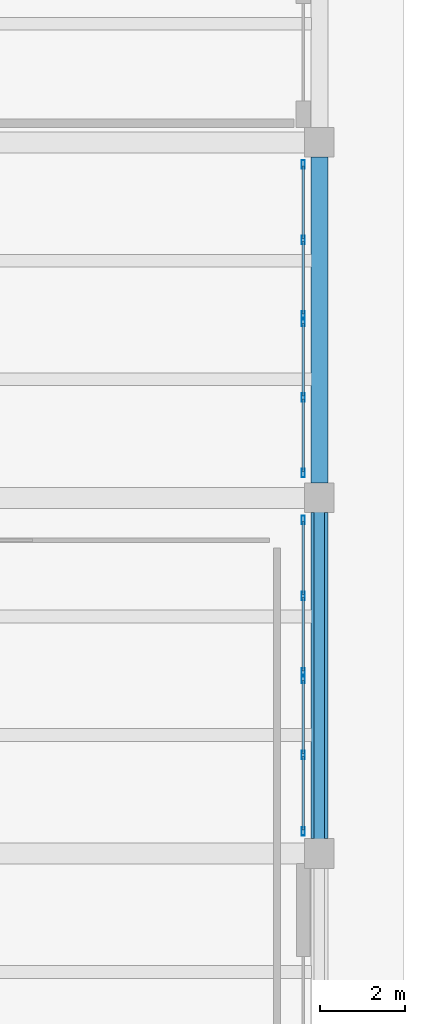
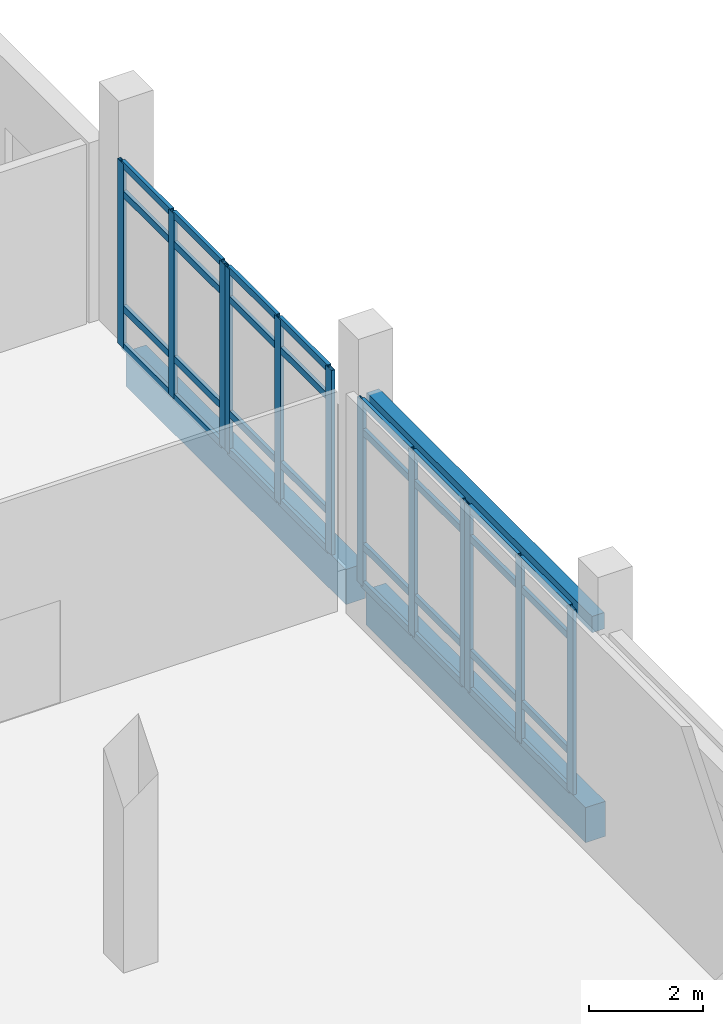
# One storey, part 20 of 64: 44 members, 3 beams, 4 elements without a shape of their own.
"""IFC4 building model written with IfcOpenShell, lengths in metres."""

from ifc_helpers import new_model, si_unit, derived_unit, direction, frame, origin, origin_2d, place, context, subcontext, project, spatial, rectangle, hollow_rectangle, extrude, material, layer, layer_set, material_profile, profile_set, type_object, element, aggregate, save


model = new_model("IFC4")

# Units and contexts
model_context = context("Model", 3, precision=1e-05, world=origin(), true_north=direction((0.0, 1.0)))
body_context = subcontext(model_context, "Body", "Model", "MODEL_VIEW")
ifc_project = project(units=[si_unit("LENGTHUNIT", "METRE"), si_unit("AREAUNIT", "SQUARE_METRE"), si_unit("VOLUMEUNIT", "CUBIC_METRE"), si_unit("PLANEANGLEUNIT", "RADIAN"), si_unit("MASSUNIT", "GRAM", prefix="KILO"), derived_unit("THERMALTRANSMITTANCEUNIT", [(si_unit("POWERUNIT", "WATT"), 1), (si_unit("LENGTHUNIT", "METRE"), -2), (si_unit("THERMODYNAMICTEMPERATUREUNIT", "KELVIN"), -1)])], contexts=[model_context])

# Site, building, storey
site_placement = place(None, origin())
site = spatial("IfcSite", under=ifc_project, at=site_placement, CompositionType="ELEMENT")
building_placement = place(site_placement, origin())
building = spatial("IfcBuilding", under=site, at=building_placement, Name="Elbkamm Science Centre", CompositionType="ELEMENT")
storey_placement = place(building_placement, origin())
storey = spatial("IfcBuildingStorey", under=building, at=storey_placement, Name="L00", CompositionType="ELEMENT", Elevation=0.0)

# Beams
ifc_material_1 = material(Name="Concrete C40/50", Category="concrete")
ifc_material_profile_1 = material_profile(ifc_material_1, rectangle(XDim=0.39990234375, YDim=0.75, at=origin_2d()), Name="RC 400x750")
ifc_profile_set_1 = profile_set([ifc_material_profile_1], Name="Concrete C40/50")
beam_type_1 = type_object("IfcBeamType", Name="BM-RC-400x750", PredefinedType="BEAM", material=ifc_profile_set_1)
for number, where, z_axis, x_axis, name in (
    (1, (160.800048828125, 33.949951171875, -0.675048828125), (0.0, 1.0, 0.0), (-1.0, 0.0, 0.0), "L00 Primary Y-Girder 079"),
    (2, (160.800048828125, 42.35009765625, -0.675048828125), (0.0, 1.0, 0.0), (-1.0, 0.0, 0.0), "L00 Primary Y-Girder 080"),
):
    element("IfcBeam", number, at=place(storey_placement, frame(where, z_axis=z_axis, x_axis=x_axis)), inside=storey, type_object=beam_type_1, Name=name, PredefinedType="BEAM", context=body_context, shape_type="SweptSolid", body=[
        extrude(rectangle(XDim=0.39990234375, YDim=0.75, at=origin_2d()), origin(), (0.0, 0.0, 1.0), 7.699951171875),
    ])

# Curtain wall, members
ifc_material_2 = material(Name="Powder-coated aluminium and triple low-E glazing", Category="aluminium")
ifc_layer_1 = layer(ifc_material_2, 0.159912109375)
ifc_layer_set_1 = layer_set([ifc_layer_1], Name="Powder-coated aluminium and triple low-E glazing")
curtain_wall_type_1 = type_object("IfcCurtainWallType", Name="CW-UNIT-3640x3960", PredefinedType="USERDEFINED", material=ifc_layer_set_1)
curtain_wall_1_placement = place(storey_placement, origin())
curtain_wall_1 = element("IfcCurtainWall", 3, at=curtain_wall_1_placement, inside=storey, type_object=curtain_wall_type_1, Name="L00 Unitised Curtain Wall 126", ObjectType="UNITISED CURTAIN WALL", PredefinedType="USERDEFINED")
ifc_material_3 = material(Name="Powder-coated aluminium EN AW-6060", Category="aluminium")
ifc_material_profile_2 = material_profile(ifc_material_3, hollow_rectangle(XDim=0.070068359375, YDim=0.199951171875, WallThickness=0.00439453125, at=origin_2d()), Name="ALU M70x200")
ifc_profile_set_2 = profile_set([ifc_material_profile_2], Name="Powder-coated aluminium EN AW-6060")
member_type_1 = type_object("IfcMemberType", Name="CW-MUL-70x200", PredefinedType="MULLION", material=ifc_profile_set_2)
member_1_placement = place(storey_placement, frame((160.419921875, 49.878662109375, 0.0), z_axis=(0.0, 0.0, 1.0), x_axis=(1.0, 0.0, 0.0)))
member_1 = element("IfcMember", 4, at=member_1_placement, type_object=member_type_1, Name="CW-063 mullion 1", PredefinedType="MULLION", context=body_context, shape_type="SweptSolid", body=[
    extrude(hollow_rectangle(XDim=0.070068359375, YDim=0.199951171875, WallThickness=0.00439453125, at=origin_2d()), origin(), (0.0, 0.0, 1.0), 3.949951171875),
])
member_2_placement = place(storey_placement, frame((160.419921875, 48.09228515625, 0.0), z_axis=(0.0, 0.0, 1.0), x_axis=(1.0, 0.0, 0.0)))
member_2 = element("IfcMember", 5, at=member_2_placement, type_object=member_type_1, Name="CW-063 mullion 2", PredefinedType="MULLION", context=body_context, shape_type="SweptSolid", body=[
    extrude(hollow_rectangle(XDim=0.070068359375, YDim=0.199951171875, WallThickness=0.00439453125, at=origin_2d()), origin(), (0.0, 0.0, 1.0), 3.949951171875),
])
member_3_placement = place(storey_placement, frame((160.419921875, 46.305908203125, 0.0), z_axis=(0.0, 0.0, 1.0), x_axis=(1.0, 0.0, 0.0)))
member_3 = element("IfcMember", 6, at=member_3_placement, type_object=member_type_1, Name="CW-063 mullion 3", PredefinedType="MULLION", context=body_context, shape_type="SweptSolid", body=[
    extrude(hollow_rectangle(XDim=0.070068359375, YDim=0.199951171875, WallThickness=0.00439453125, at=origin_2d()), origin(), (0.0, 0.0, 1.0), 3.949951171875),
])

curtain_wall_2_placement = place(storey_placement, origin())
curtain_wall_2 = element("IfcCurtainWall", 7, at=curtain_wall_2_placement, inside=storey, type_object=curtain_wall_type_1, Name="L00 Unitised Curtain Wall 127", ObjectType="UNITISED CURTAIN WALL", PredefinedType="USERDEFINED")
member_4_placement = place(storey_placement, frame((160.419921875, 46.156005859375, 0.0), z_axis=(0.0, 0.0, 1.0), x_axis=(1.0, 0.0, 0.0)))
member_4 = element("IfcMember", 8, at=member_4_placement, type_object=member_type_1, Name="CW-063 mullion 1", PredefinedType="MULLION", context=body_context, shape_type="SweptSolid", body=[
    extrude(hollow_rectangle(XDim=0.070068359375, YDim=0.199951171875, WallThickness=0.00439453125, at=origin_2d()), origin(), (0.0, 0.0, 1.0), 3.949951171875),
])
member_5_placement = place(storey_placement, frame((160.419921875, 44.369384765625, 0.0), z_axis=(0.0, 0.0, 1.0), x_axis=(1.0, 0.0, 0.0)))
member_5 = element("IfcMember", 9, at=member_5_placement, type_object=member_type_1, Name="CW-063 mullion 2", PredefinedType="MULLION", context=body_context, shape_type="SweptSolid", body=[
    extrude(hollow_rectangle(XDim=0.070068359375, YDim=0.199951171875, WallThickness=0.00439453125, at=origin_2d()), origin(), (0.0, 0.0, 1.0), 3.949951171875),
])
member_6_placement = place(storey_placement, frame((160.419921875, 42.5830078125, 0.0), z_axis=(0.0, 0.0, 1.0), x_axis=(1.0, 0.0, 0.0)))
member_6 = element("IfcMember", 10, at=member_6_placement, type_object=member_type_1, Name="CW-063 mullion 3", PredefinedType="MULLION", context=body_context, shape_type="SweptSolid", body=[
    extrude(hollow_rectangle(XDim=0.070068359375, YDim=0.199951171875, WallThickness=0.00439453125, at=origin_2d()), origin(), (0.0, 0.0, 1.0), 3.949951171875),
])

ifc_layer_2 = layer(ifc_material_2, 0.159912109375)
ifc_layer_set_2 = layer_set([ifc_layer_2], Name="Powder-coated aluminium and triple low-E glazing")
curtain_wall_type_2 = type_object("IfcCurtainWallType", Name="CW-UNIT-3680x3960", PredefinedType="USERDEFINED", material=ifc_layer_set_2)
curtain_wall_3_placement = place(storey_placement, origin())
curtain_wall_3 = element("IfcCurtainWall", 11, at=curtain_wall_3_placement, inside=storey, type_object=curtain_wall_type_2, Name="L00 Unitised Curtain Wall 128", ObjectType="UNITISED CURTAIN WALL", PredefinedType="USERDEFINED")
member_7_placement = place(storey_placement, frame((160.419921875, 41.478759765625, 0.0), z_axis=(0.0, 0.0, 1.0), x_axis=(1.0, 0.0, 0.0)))
member_7 = element("IfcMember", 12, at=member_7_placement, type_object=member_type_1, Name="CW-064 mullion 1", PredefinedType="MULLION", context=body_context, shape_type="SweptSolid", body=[
    extrude(hollow_rectangle(XDim=0.070068359375, YDim=0.199951171875, WallThickness=0.00439453125, at=origin_2d()), origin(), (0.0, 0.0, 1.0), 3.949951171875),
])
member_8_placement = place(storey_placement, frame((160.419921875, 39.6767578125, 0.0), z_axis=(0.0, 0.0, 1.0), x_axis=(1.0, 0.0, 0.0)))
member_8 = element("IfcMember", 13, at=member_8_placement, type_object=member_type_1, Name="CW-064 mullion 2", PredefinedType="MULLION", context=body_context, shape_type="SweptSolid", body=[
    extrude(hollow_rectangle(XDim=0.070068359375, YDim=0.199951171875, WallThickness=0.00439453125, at=origin_2d()), origin(), (0.0, 0.0, 1.0), 3.949951171875),
])
member_9_placement = place(storey_placement, frame((160.419921875, 37.875, 0.0), z_axis=(0.0, 0.0, 1.0), x_axis=(1.0, 0.0, 0.0)))
member_9 = element("IfcMember", 14, at=member_9_placement, type_object=member_type_1, Name="CW-064 mullion 3", PredefinedType="MULLION", context=body_context, shape_type="SweptSolid", body=[
    extrude(hollow_rectangle(XDim=0.070068359375, YDim=0.199951171875, WallThickness=0.00439453125, at=origin_2d()), origin(), (0.0, 0.0, 1.0), 3.949951171875),
])

curtain_wall_4_placement = place(storey_placement, origin())
curtain_wall_4 = element("IfcCurtainWall", 15, at=curtain_wall_4_placement, inside=storey, type_object=curtain_wall_type_2, Name="L00 Unitised Curtain Wall 129", ObjectType="UNITISED CURTAIN WALL", PredefinedType="USERDEFINED")
member_10_placement = place(storey_placement, frame((160.419921875, 37.72509765625, 0.0), z_axis=(0.0, 0.0, 1.0), x_axis=(1.0, 0.0, 0.0)))
member_10 = element("IfcMember", 16, at=member_10_placement, type_object=member_type_1, Name="CW-064 mullion 1", PredefinedType="MULLION", context=body_context, shape_type="SweptSolid", body=[
    extrude(hollow_rectangle(XDim=0.070068359375, YDim=0.199951171875, WallThickness=0.00439453125, at=origin_2d()), origin(), (0.0, 0.0, 1.0), 3.949951171875),
])
member_11_placement = place(storey_placement, frame((160.419921875, 35.923095703125, 0.0), z_axis=(0.0, 0.0, 1.0), x_axis=(1.0, 0.0, 0.0)))
member_11 = element("IfcMember", 17, at=member_11_placement, type_object=member_type_1, Name="CW-064 mullion 2", PredefinedType="MULLION", context=body_context, shape_type="SweptSolid", body=[
    extrude(hollow_rectangle(XDim=0.070068359375, YDim=0.199951171875, WallThickness=0.00439453125, at=origin_2d()), origin(), (0.0, 0.0, 1.0), 3.949951171875),
])
member_12_placement = place(storey_placement, frame((160.419921875, 34.121337890625, 0.0), z_axis=(0.0, 0.0, 1.0), x_axis=(1.0, 0.0, 0.0)))
member_12 = element("IfcMember", 18, at=member_12_placement, type_object=member_type_1, Name="CW-064 mullion 3", PredefinedType="MULLION", context=body_context, shape_type="SweptSolid", body=[
    extrude(hollow_rectangle(XDim=0.070068359375, YDim=0.199951171875, WallThickness=0.00439453125, at=origin_2d()), origin(), (0.0, 0.0, 1.0), 3.949951171875),
])

# Member
ifc_material_profile_3 = material_profile(ifc_material_3, hollow_rectangle(XDim=0.070068359375, YDim=0.14990234375, WallThickness=0.00390625, at=origin_2d()), Name="ALU T70x150")
ifc_profile_set_3 = profile_set([ifc_material_profile_3], Name="Powder-coated aluminium EN AW-6060")
member_type_2 = type_object("IfcMemberType", Name="CW-TRN-70x150", PredefinedType="USERDEFINED", material=ifc_profile_set_3)
member_13_placement = place(storey_placement, frame((160.419921875, 49.84375, 0.034912109375), z_axis=(0.0, -1.0, 0.0), x_axis=(1.0, 0.0, 0.0)))
member_13 = element("IfcMember", 19, at=member_13_placement, type_object=member_type_2, Name="CW-063 transom 1.1", ObjectType="TRANSOM", PredefinedType="USERDEFINED", context=body_context, shape_type="SweptSolid", body=[
    extrude(hollow_rectangle(XDim=0.070068359375, YDim=0.14990234375, WallThickness=0.00390625, at=origin_2d()), origin(), (0.0, 0.0, 1.0), 1.716552734375),
])

member_14_placement = place(storey_placement, frame((160.419921875, 49.84375, 0.85009765625), z_axis=(0.0, -1.0, 0.0), x_axis=(1.0, 0.0, 0.0)))
member_14 = element("IfcMember", 20, at=member_14_placement, type_object=member_type_2, Name="CW-063 transom 1.2", ObjectType="TRANSOM", PredefinedType="USERDEFINED", context=body_context, shape_type="SweptSolid", body=[
    extrude(hollow_rectangle(XDim=0.070068359375, YDim=0.14990234375, WallThickness=0.00390625, at=origin_2d()), origin(), (0.0, 0.0, 1.0), 1.716552734375),
])

member_15_placement = place(storey_placement, frame((160.419921875, 49.84375, 3.300048828125), z_axis=(0.0, -1.0, 0.0), x_axis=(1.0, 0.0, 0.0)))
member_15 = element("IfcMember", 21, at=member_15_placement, type_object=member_type_2, Name="CW-063 transom 1.3", ObjectType="TRANSOM", PredefinedType="USERDEFINED", context=body_context, shape_type="SweptSolid", body=[
    extrude(hollow_rectangle(XDim=0.070068359375, YDim=0.14990234375, WallThickness=0.00390625, at=origin_2d()), origin(), (0.0, 0.0, 1.0), 1.716552734375),
])

member_16_placement = place(storey_placement, frame((160.419921875, 49.84375, 3.9150390625), z_axis=(0.0, -1.0, 0.0), x_axis=(1.0, 0.0, 0.0)))
member_16 = element("IfcMember", 22, at=member_16_placement, type_object=member_type_2, Name="CW-063 transom 1.4", ObjectType="TRANSOM", PredefinedType="USERDEFINED", context=body_context, shape_type="SweptSolid", body=[
    extrude(hollow_rectangle(XDim=0.070068359375, YDim=0.14990234375, WallThickness=0.00390625, at=origin_2d()), origin(), (0.0, 0.0, 1.0), 1.716552734375),
])

member_17_placement = place(storey_placement, frame((160.419921875, 48.057373046875, 0.034912109375), z_axis=(0.0, -1.0, 0.0), x_axis=(1.0, 0.0, 0.0)))
member_17 = element("IfcMember", 23, at=member_17_placement, type_object=member_type_2, Name="CW-063 transom 2.1", ObjectType="TRANSOM", PredefinedType="USERDEFINED", context=body_context, shape_type="SweptSolid", body=[
    extrude(hollow_rectangle(XDim=0.070068359375, YDim=0.14990234375, WallThickness=0.00390625, at=origin_2d()), origin(), (0.0, 0.0, 1.0), 1.716552734375),
])

member_18_placement = place(storey_placement, frame((160.419921875, 48.057373046875, 0.85009765625), z_axis=(0.0, -1.0, 0.0), x_axis=(1.0, 0.0, 0.0)))
member_18 = element("IfcMember", 24, at=member_18_placement, type_object=member_type_2, Name="CW-063 transom 2.2", ObjectType="TRANSOM", PredefinedType="USERDEFINED", context=body_context, shape_type="SweptSolid", body=[
    extrude(hollow_rectangle(XDim=0.070068359375, YDim=0.14990234375, WallThickness=0.00390625, at=origin_2d()), origin(), (0.0, 0.0, 1.0), 1.716552734375),
])

member_19_placement = place(storey_placement, frame((160.419921875, 48.057373046875, 3.300048828125), z_axis=(0.0, -1.0, 0.0), x_axis=(1.0, 0.0, 0.0)))
member_19 = element("IfcMember", 25, at=member_19_placement, type_object=member_type_2, Name="CW-063 transom 2.3", ObjectType="TRANSOM", PredefinedType="USERDEFINED", context=body_context, shape_type="SweptSolid", body=[
    extrude(hollow_rectangle(XDim=0.070068359375, YDim=0.14990234375, WallThickness=0.00390625, at=origin_2d()), origin(), (0.0, 0.0, 1.0), 1.716552734375),
])

member_20_placement = place(storey_placement, frame((160.419921875, 48.057373046875, 3.9150390625), z_axis=(0.0, -1.0, 0.0), x_axis=(1.0, 0.0, 0.0)))
member_20 = element("IfcMember", 26, at=member_20_placement, type_object=member_type_2, Name="CW-063 transom 2.4", ObjectType="TRANSOM", PredefinedType="USERDEFINED", context=body_context, shape_type="SweptSolid", body=[
    extrude(hollow_rectangle(XDim=0.070068359375, YDim=0.14990234375, WallThickness=0.00390625, at=origin_2d()), origin(), (0.0, 0.0, 1.0), 1.716552734375),
])

aggregate(curtain_wall_1, [member_1, member_2, member_3, member_13, member_14, member_15, member_16, member_17, member_18, member_19, member_20])

member_21_placement = place(storey_placement, frame((160.419921875, 46.120849609375, 0.034912109375), z_axis=(0.0, -1.0, 0.0), x_axis=(1.0, 0.0, 0.0)))
member_21 = element("IfcMember", 27, at=member_21_placement, type_object=member_type_2, Name="CW-063 transom 1.1", ObjectType="TRANSOM", PredefinedType="USERDEFINED", context=body_context, shape_type="SweptSolid", body=[
    extrude(hollow_rectangle(XDim=0.070068359375, YDim=0.14990234375, WallThickness=0.00390625, at=origin_2d()), origin(), (0.0, 0.0, 1.0), 1.71630859375),
])

member_22_placement = place(storey_placement, frame((160.419921875, 46.120849609375, 0.85009765625), z_axis=(0.0, -1.0, 0.0), x_axis=(1.0, 0.0, 0.0)))
member_22 = element("IfcMember", 28, at=member_22_placement, type_object=member_type_2, Name="CW-063 transom 1.2", ObjectType="TRANSOM", PredefinedType="USERDEFINED", context=body_context, shape_type="SweptSolid", body=[
    extrude(hollow_rectangle(XDim=0.070068359375, YDim=0.14990234375, WallThickness=0.00390625, at=origin_2d()), origin(), (0.0, 0.0, 1.0), 1.71630859375),
])

member_23_placement = place(storey_placement, frame((160.419921875, 46.120849609375, 3.300048828125), z_axis=(0.0, -1.0, 0.0), x_axis=(1.0, 0.0, 0.0)))
member_23 = element("IfcMember", 29, at=member_23_placement, type_object=member_type_2, Name="CW-063 transom 1.3", ObjectType="TRANSOM", PredefinedType="USERDEFINED", context=body_context, shape_type="SweptSolid", body=[
    extrude(hollow_rectangle(XDim=0.070068359375, YDim=0.14990234375, WallThickness=0.00390625, at=origin_2d()), origin(), (0.0, 0.0, 1.0), 1.71630859375),
])

member_24_placement = place(storey_placement, frame((160.419921875, 46.120849609375, 3.9150390625), z_axis=(0.0, -1.0, 0.0), x_axis=(1.0, 0.0, 0.0)))
member_24 = element("IfcMember", 30, at=member_24_placement, type_object=member_type_2, Name="CW-063 transom 1.4", ObjectType="TRANSOM", PredefinedType="USERDEFINED", context=body_context, shape_type="SweptSolid", body=[
    extrude(hollow_rectangle(XDim=0.070068359375, YDim=0.14990234375, WallThickness=0.00390625, at=origin_2d()), origin(), (0.0, 0.0, 1.0), 1.71630859375),
])

member_25_placement = place(storey_placement, frame((160.419921875, 44.33447265625, 0.034912109375), z_axis=(0.0, -1.0, 0.0), x_axis=(1.0, 0.0, 0.0)))
member_25 = element("IfcMember", 31, at=member_25_placement, type_object=member_type_2, Name="CW-063 transom 2.1", ObjectType="TRANSOM", PredefinedType="USERDEFINED", context=body_context, shape_type="SweptSolid", body=[
    extrude(hollow_rectangle(XDim=0.070068359375, YDim=0.14990234375, WallThickness=0.00390625, at=origin_2d()), origin(), (0.0, 0.0, 1.0), 1.716552734375),
])

member_26_placement = place(storey_placement, frame((160.419921875, 44.33447265625, 0.85009765625), z_axis=(0.0, -1.0, 0.0), x_axis=(1.0, 0.0, 0.0)))
member_26 = element("IfcMember", 32, at=member_26_placement, type_object=member_type_2, Name="CW-063 transom 2.2", ObjectType="TRANSOM", PredefinedType="USERDEFINED", context=body_context, shape_type="SweptSolid", body=[
    extrude(hollow_rectangle(XDim=0.070068359375, YDim=0.14990234375, WallThickness=0.00390625, at=origin_2d()), origin(), (0.0, 0.0, 1.0), 1.716552734375),
])

member_27_placement = place(storey_placement, frame((160.419921875, 44.33447265625, 3.300048828125), z_axis=(0.0, -1.0, 0.0), x_axis=(1.0, 0.0, 0.0)))
member_27 = element("IfcMember", 33, at=member_27_placement, type_object=member_type_2, Name="CW-063 transom 2.3", ObjectType="TRANSOM", PredefinedType="USERDEFINED", context=body_context, shape_type="SweptSolid", body=[
    extrude(hollow_rectangle(XDim=0.070068359375, YDim=0.14990234375, WallThickness=0.00390625, at=origin_2d()), origin(), (0.0, 0.0, 1.0), 1.716552734375),
])

member_28_placement = place(storey_placement, frame((160.419921875, 44.33447265625, 3.9150390625), z_axis=(0.0, -1.0, 0.0), x_axis=(1.0, 0.0, 0.0)))
member_28 = element("IfcMember", 34, at=member_28_placement, type_object=member_type_2, Name="CW-063 transom 2.4", ObjectType="TRANSOM", PredefinedType="USERDEFINED", context=body_context, shape_type="SweptSolid", body=[
    extrude(hollow_rectangle(XDim=0.070068359375, YDim=0.14990234375, WallThickness=0.00390625, at=origin_2d()), origin(), (0.0, 0.0, 1.0), 1.716552734375),
])

aggregate(curtain_wall_2, [member_4, member_5, member_6, member_21, member_22, member_23, member_24, member_25, member_26, member_27, member_28])

member_29_placement = place(storey_placement, frame((160.419921875, 41.443603515625, 0.034912109375), z_axis=(0.0, -1.0, 0.0), x_axis=(1.0, 0.0, 0.0)))
member_29 = element("IfcMember", 35, at=member_29_placement, type_object=member_type_2, Name="CW-064 transom 1.1", ObjectType="TRANSOM", PredefinedType="USERDEFINED", context=body_context, shape_type="SweptSolid", body=[
    extrude(hollow_rectangle(XDim=0.070068359375, YDim=0.14990234375, WallThickness=0.00390625, at=origin_2d()), origin(), (0.0, 0.0, 1.0), 1.731689453125),
])

member_30_placement = place(storey_placement, frame((160.419921875, 41.443603515625, 0.85009765625), z_axis=(0.0, -1.0, 0.0), x_axis=(1.0, 0.0, 0.0)))
member_30 = element("IfcMember", 36, at=member_30_placement, type_object=member_type_2, Name="CW-064 transom 1.2", ObjectType="TRANSOM", PredefinedType="USERDEFINED", context=body_context, shape_type="SweptSolid", body=[
    extrude(hollow_rectangle(XDim=0.070068359375, YDim=0.14990234375, WallThickness=0.00390625, at=origin_2d()), origin(), (0.0, 0.0, 1.0), 1.731689453125),
])

member_31_placement = place(storey_placement, frame((160.419921875, 41.443603515625, 3.300048828125), z_axis=(0.0, -1.0, 0.0), x_axis=(1.0, 0.0, 0.0)))
member_31 = element("IfcMember", 37, at=member_31_placement, type_object=member_type_2, Name="CW-064 transom 1.3", ObjectType="TRANSOM", PredefinedType="USERDEFINED", context=body_context, shape_type="SweptSolid", body=[
    extrude(hollow_rectangle(XDim=0.070068359375, YDim=0.14990234375, WallThickness=0.00390625, at=origin_2d()), origin(), (0.0, 0.0, 1.0), 1.731689453125),
])

member_32_placement = place(storey_placement, frame((160.419921875, 41.443603515625, 3.9150390625), z_axis=(0.0, -1.0, 0.0), x_axis=(1.0, 0.0, 0.0)))
member_32 = element("IfcMember", 38, at=member_32_placement, type_object=member_type_2, Name="CW-064 transom 1.4", ObjectType="TRANSOM", PredefinedType="USERDEFINED", context=body_context, shape_type="SweptSolid", body=[
    extrude(hollow_rectangle(XDim=0.070068359375, YDim=0.14990234375, WallThickness=0.00390625, at=origin_2d()), origin(), (0.0, 0.0, 1.0), 1.731689453125),
])

member_33_placement = place(storey_placement, frame((160.419921875, 39.641845703125, 0.034912109375), z_axis=(0.0, -1.0, 0.0), x_axis=(1.0, 0.0, 0.0)))
member_33 = element("IfcMember", 39, at=member_33_placement, type_object=member_type_2, Name="CW-064 transom 2.1", ObjectType="TRANSOM", PredefinedType="USERDEFINED", context=body_context, shape_type="SweptSolid", body=[
    extrude(hollow_rectangle(XDim=0.070068359375, YDim=0.14990234375, WallThickness=0.00390625, at=origin_2d()), origin(), (0.0, 0.0, 1.0), 1.73193359375),
])

member_34_placement = place(storey_placement, frame((160.419921875, 39.641845703125, 0.85009765625), z_axis=(0.0, -1.0, 0.0), x_axis=(1.0, 0.0, 0.0)))
member_34 = element("IfcMember", 40, at=member_34_placement, type_object=member_type_2, Name="CW-064 transom 2.2", ObjectType="TRANSOM", PredefinedType="USERDEFINED", context=body_context, shape_type="SweptSolid", body=[
    extrude(hollow_rectangle(XDim=0.070068359375, YDim=0.14990234375, WallThickness=0.00390625, at=origin_2d()), origin(), (0.0, 0.0, 1.0), 1.73193359375),
])

member_35_placement = place(storey_placement, frame((160.419921875, 39.641845703125, 3.300048828125), z_axis=(0.0, -1.0, 0.0), x_axis=(1.0, 0.0, 0.0)))
member_35 = element("IfcMember", 41, at=member_35_placement, type_object=member_type_2, Name="CW-064 transom 2.3", ObjectType="TRANSOM", PredefinedType="USERDEFINED", context=body_context, shape_type="SweptSolid", body=[
    extrude(hollow_rectangle(XDim=0.070068359375, YDim=0.14990234375, WallThickness=0.00390625, at=origin_2d()), origin(), (0.0, 0.0, 1.0), 1.73193359375),
])

member_36_placement = place(storey_placement, frame((160.419921875, 39.641845703125, 3.9150390625), z_axis=(0.0, -1.0, 0.0), x_axis=(1.0, 0.0, 0.0)))
member_36 = element("IfcMember", 42, at=member_36_placement, type_object=member_type_2, Name="CW-064 transom 2.4", ObjectType="TRANSOM", PredefinedType="USERDEFINED", context=body_context, shape_type="SweptSolid", body=[
    extrude(hollow_rectangle(XDim=0.070068359375, YDim=0.14990234375, WallThickness=0.00390625, at=origin_2d()), origin(), (0.0, 0.0, 1.0), 1.73193359375),
])

aggregate(curtain_wall_3, [member_7, member_8, member_9, member_29, member_30, member_31, member_32, member_33, member_34, member_35, member_36])

member_37_placement = place(storey_placement, frame((160.419921875, 37.68994140625, 0.034912109375), z_axis=(0.0, -1.0, 0.0), x_axis=(1.0, 0.0, 0.0)))
member_37 = element("IfcMember", 43, at=member_37_placement, type_object=member_type_2, Name="CW-064 transom 1.1", ObjectType="TRANSOM", PredefinedType="USERDEFINED", context=body_context, shape_type="SweptSolid", body=[
    extrude(hollow_rectangle(XDim=0.070068359375, YDim=0.14990234375, WallThickness=0.00390625, at=origin_2d()), origin(), (0.0, 0.0, 1.0), 1.731689453125),
])

member_38_placement = place(storey_placement, frame((160.419921875, 37.68994140625, 0.85009765625), z_axis=(0.0, -1.0, 0.0), x_axis=(1.0, 0.0, 0.0)))
member_38 = element("IfcMember", 44, at=member_38_placement, type_object=member_type_2, Name="CW-064 transom 1.2", ObjectType="TRANSOM", PredefinedType="USERDEFINED", context=body_context, shape_type="SweptSolid", body=[
    extrude(hollow_rectangle(XDim=0.070068359375, YDim=0.14990234375, WallThickness=0.00390625, at=origin_2d()), origin(), (0.0, 0.0, 1.0), 1.731689453125),
])

member_39_placement = place(storey_placement, frame((160.419921875, 37.68994140625, 3.300048828125), z_axis=(0.0, -1.0, 0.0), x_axis=(1.0, 0.0, 0.0)))
member_39 = element("IfcMember", 45, at=member_39_placement, type_object=member_type_2, Name="CW-064 transom 1.3", ObjectType="TRANSOM", PredefinedType="USERDEFINED", context=body_context, shape_type="SweptSolid", body=[
    extrude(hollow_rectangle(XDim=0.070068359375, YDim=0.14990234375, WallThickness=0.00390625, at=origin_2d()), origin(), (0.0, 0.0, 1.0), 1.731689453125),
])

member_40_placement = place(storey_placement, frame((160.419921875, 37.68994140625, 3.9150390625), z_axis=(0.0, -1.0, 0.0), x_axis=(1.0, 0.0, 0.0)))
member_40 = element("IfcMember", 46, at=member_40_placement, type_object=member_type_2, Name="CW-064 transom 1.4", ObjectType="TRANSOM", PredefinedType="USERDEFINED", context=body_context, shape_type="SweptSolid", body=[
    extrude(hollow_rectangle(XDim=0.070068359375, YDim=0.14990234375, WallThickness=0.00390625, at=origin_2d()), origin(), (0.0, 0.0, 1.0), 1.731689453125),
])

member_41_placement = place(storey_placement, frame((160.419921875, 35.88818359375, 0.034912109375), z_axis=(0.0, -1.0, 0.0), x_axis=(1.0, 0.0, 0.0)))
member_41 = element("IfcMember", 47, at=member_41_placement, type_object=member_type_2, Name="CW-064 transom 2.1", ObjectType="TRANSOM", PredefinedType="USERDEFINED", context=body_context, shape_type="SweptSolid", body=[
    extrude(hollow_rectangle(XDim=0.070068359375, YDim=0.14990234375, WallThickness=0.00390625, at=origin_2d()), origin(), (0.0, 0.0, 1.0), 1.73193359375),
])

member_42_placement = place(storey_placement, frame((160.419921875, 35.88818359375, 0.85009765625), z_axis=(0.0, -1.0, 0.0), x_axis=(1.0, 0.0, 0.0)))
member_42 = element("IfcMember", 48, at=member_42_placement, type_object=member_type_2, Name="CW-064 transom 2.2", ObjectType="TRANSOM", PredefinedType="USERDEFINED", context=body_context, shape_type="SweptSolid", body=[
    extrude(hollow_rectangle(XDim=0.070068359375, YDim=0.14990234375, WallThickness=0.00390625, at=origin_2d()), origin(), (0.0, 0.0, 1.0), 1.73193359375),
])

member_43_placement = place(storey_placement, frame((160.419921875, 35.88818359375, 3.300048828125), z_axis=(0.0, -1.0, 0.0), x_axis=(1.0, 0.0, 0.0)))
member_43 = element("IfcMember", 49, at=member_43_placement, type_object=member_type_2, Name="CW-064 transom 2.3", ObjectType="TRANSOM", PredefinedType="USERDEFINED", context=body_context, shape_type="SweptSolid", body=[
    extrude(hollow_rectangle(XDim=0.070068359375, YDim=0.14990234375, WallThickness=0.00390625, at=origin_2d()), origin(), (0.0, 0.0, 1.0), 1.73193359375),
])

member_44_placement = place(storey_placement, frame((160.419921875, 35.88818359375, 3.9150390625), z_axis=(0.0, -1.0, 0.0), x_axis=(1.0, 0.0, 0.0)))
member_44 = element("IfcMember", 50, at=member_44_placement, type_object=member_type_2, Name="CW-064 transom 2.4", ObjectType="TRANSOM", PredefinedType="USERDEFINED", context=body_context, shape_type="SweptSolid", body=[
    extrude(hollow_rectangle(XDim=0.070068359375, YDim=0.14990234375, WallThickness=0.00390625, at=origin_2d()), origin(), (0.0, 0.0, 1.0), 1.73193359375),
])

aggregate(curtain_wall_4, [member_10, member_11, member_12, member_37, member_38, member_39, member_40, member_41, member_42, member_43, member_44])

# Beam
ifc_material_profile_4 = material_profile(ifc_material_1, rectangle(XDim=0.25, YDim=0.35009765625, at=origin_2d()), Name="RC 250x350")
ifc_profile_set_4 = profile_set([ifc_material_profile_4], Name="Concrete C40/50")
beam_type_2 = type_object("IfcBeamType", Name="LIN-RC-250x350", PredefinedType="LINTEL", material=ifc_profile_set_4)
beam_placement = place(storey_placement, frame((160.800048828125, 33.85009765625, 3.64990234375), z_axis=(0.0, 1.0, 0.0), x_axis=(-1.0, 0.0, 0.0)))
element("IfcBeam", 51, at=beam_placement, inside=storey, type_object=beam_type_2, Name="L00 Opening Lintel 02", PredefinedType="LINTEL", context=body_context, shape_type="SweptSolid", body=[
    extrude(rectangle(XDim=0.25, YDim=0.35009765625, at=origin_2d()), origin(), (0.0, 0.0, 1.0), 7.89990234375),
])

save(model, "model.ifc")
